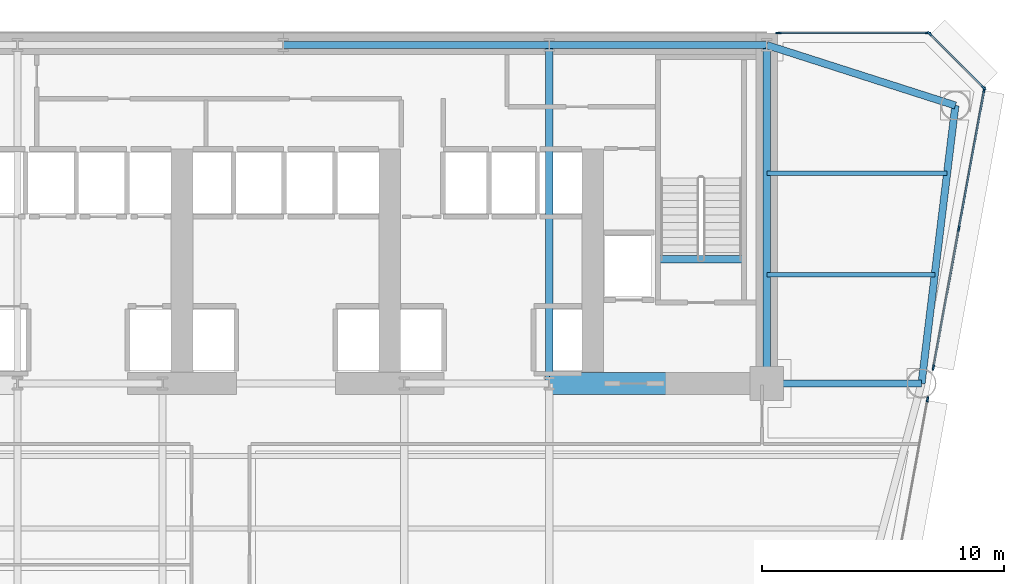
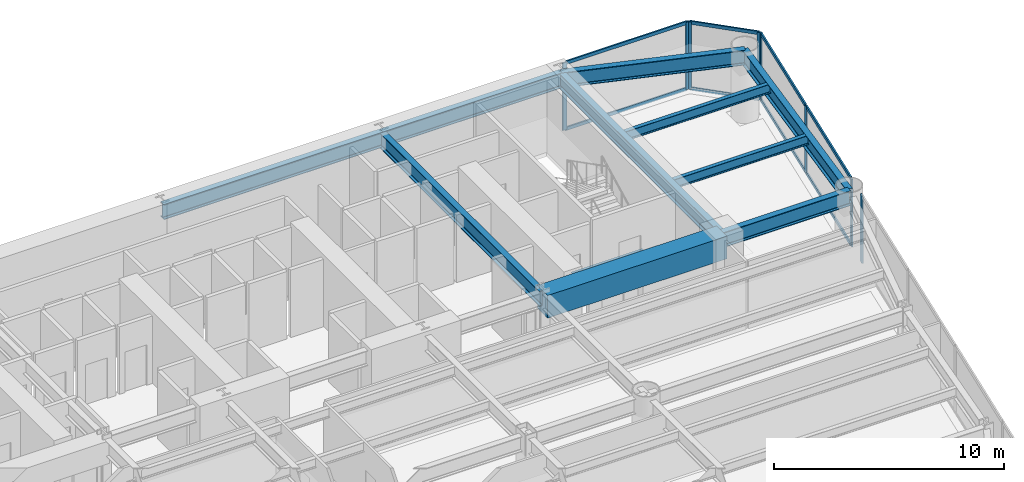
# One storey, part 6 of 14: 16 members, 11 beams, 4 elements without a shape of their own.
"""IFC4 building model written with IfcOpenShell, lengths in metres."""

from ifc_helpers import new_model, si_unit, direction, frame, origin, origin_2d, place, context, subcontext, project, spatial, rectangle, i_section, extrude, source, transform, mapped, material, layer, layer_set, material_profile, profile_set, type_object, element, aggregate, save


model = new_model("IFC4")

# Units and contexts
model_context = context("Model", 3, precision=1e-05, world=origin(), true_north=direction((0.0, 1.0)))
body_context = subcontext(model_context, "Body", "Model", "MODEL_VIEW")
ifc_project = project(units=[si_unit("LENGTHUNIT", "METRE"), si_unit("AREAUNIT", "SQUARE_METRE"), si_unit("VOLUMEUNIT", "CUBIC_METRE"), si_unit("PLANEANGLEUNIT", "RADIAN"), si_unit("MASSUNIT", "GRAM", prefix="KILO")], contexts=[model_context])

# Site, building, storey
site_placement = place(None, origin())
site = spatial("IfcSite", under=ifc_project, at=site_placement, CompositionType="ELEMENT")
building_placement = place(site_placement, origin())
building = spatial("IfcBuilding", under=site, at=building_placement, Name="Vaeldorn Concourse Tower", CompositionType="ELEMENT")
storey_placement = place(building_placement, frame((0.0, 0.0, 75.800048828125)))
storey = spatial("IfcBuildingStorey", under=building, at=storey_placement, Name="L19", CompositionType="ELEMENT", Elevation=75.800048828125)

# Beams
ifc_material_1 = material(Name="Concrete C60/75", Category="concrete")
ifc_material_profile_1 = material_profile(ifc_material_1, rectangle(XDim=0.89990234375, YDim=1.199951171875, at=origin_2d()), Name="RC 900x1200")
ifc_profile_set_1 = profile_set([ifc_material_profile_1], Name="Concrete C60/75")
beam_type_1 = type_object("IfcBeamType", Name="BM-CB-RC900", PredefinedType="BEAM", material=ifc_profile_set_1)
shared_shape_1 = source(origin(), body_context, "Body", "SweptSolid", [
    extrude(rectangle(XDim=0.89990234375, YDim=1.199951171875, at=origin_2d()), origin(), (0.0, 0.0, 1.0), 9.0),
])
beam_1_placement = place(storey_placement, frame((45.0, 36.5, 2.97998046875), z_axis=(1.0, 0.0, 0.0), x_axis=(0.0, 1.0, 0.0)))
element("IfcBeam", 1, at=beam_1_placement, inside=storey, type_object=beam_type_1, Name="Core Coupling Beam L19-2", PredefinedType="BEAM", context=body_context, shape_type="MappedRepresentation", body=[
    mapped(shared_shape_1, transform((0.0, 0.0, 0.0), scale=1.0)),
])
ifc_material_2 = material(Name="Steel S355", Category="steel")
ifc_material_profile_2 = material_profile(ifc_material_2, i_section(OverallWidth=0.300048828125, OverallDepth=0.340087890625, WebThickness=0.011962890625, FlangeThickness=0.021484375, FilletRadius=0.027099609375, at=origin_2d()), Name="HEB 340")
ifc_profile_set_2 = profile_set([ifc_material_profile_2], Name="Steel S355")
beam_type_2 = type_object("IfcBeamType", Name="BM-ST-TRIM", PredefinedType="BEAM", material=ifc_profile_set_2)
shared_shape_2 = source(origin(), body_context, "Body", "SweptSolid", [
    extrude(i_section(OverallWidth=0.300048828125, OverallDepth=0.340087890625, WebThickness=0.011962890625, FlangeThickness=0.021484375, FilletRadius=0.027099609375, at=origin_2d()), origin(), (0.0, 0.0, 1.0), 3.590087890625),
])
beam_2_placement = place(storey_placement, frame((49.47998046875, 41.639892578125, -0.39013671875), z_axis=(1.0, 0.0, 0.0), x_axis=(0.0, 1.0, 0.0)))
element("IfcBeam", 2, at=beam_2_placement, inside=storey, type_object=beam_type_2, Name="Stair Landing Trimmer Beam ST-2 L19", PredefinedType="BEAM", context=body_context, shape_type="MappedRepresentation", body=[
    mapped(shared_shape_2, transform((0.0, 0.0, 0.0), scale=1.0)),
])
ifc_material_profile_3 = material_profile(ifc_material_2, i_section(OverallWidth=0.300048828125, OverallDepth=0.800048828125, WebThickness=0.017578125, FlangeThickness=0.032958984375, FilletRadius=0.030029296875, at=origin_2d()), Name="HEB 800")
ifc_profile_set_3 = profile_set([ifc_material_profile_3], Name="Steel S355")
beam_type_3 = type_object("IfcBeamType", Name="BM-PG-HEB800", PredefinedType="BEAM", material=ifc_profile_set_3)
shared_shape_3 = source(origin(), body_context, "Body", "SweptSolid", [
    extrude(i_section(OverallWidth=0.300048828125, OverallDepth=0.800048828125, WebThickness=0.017578125, FlangeThickness=0.032958984375, FilletRadius=0.030029296875, at=origin_2d()), origin(), (0.0, 0.0, 1.0), 9.0),
])
beam_3_placement = place(storey_placement, frame((45.0, 50.5, 3.179931640625), z_axis=(1.0, 0.0, 0.0), x_axis=(0.0, 1.0, 0.0)))
element("IfcBeam", 3, at=beam_3_placement, inside=storey, type_object=beam_type_3, Name="Beam BM-L19-C-HC4-C-HC5", PredefinedType="BEAM", context=body_context, shape_type="MappedRepresentation", body=[
    mapped(shared_shape_3, transform((0.0, 0.0, 0.0), scale=1.0)),
])
shared_shape_4 = source(origin(), body_context, "Body", "SweptSolid", [
    extrude(i_section(OverallWidth=0.300048828125, OverallDepth=0.800048828125, WebThickness=0.017578125, FlangeThickness=0.032958984375, FilletRadius=0.030029296875, at=origin_2d()), origin(), (0.0, 0.0, 1.0), 11.0),
])
beam_4_placement = place(storey_placement, frame((34.0, 50.5, 3.179931640625), z_axis=(1.0, 0.0, 0.0), x_axis=(0.0, 1.0, 0.0)))
element("IfcBeam", 4, at=beam_4_placement, inside=storey, type_object=beam_type_3, Name="Beam BM-L19-C-HC3-C-HC4", PredefinedType="BEAM", context=body_context, shape_type="MappedRepresentation", body=[
    mapped(shared_shape_4, transform((0.0, 0.0, 0.0), scale=1.0)),
])
shared_shape_5 = source(origin(), body_context, "Body", "SweptSolid", [
    extrude(i_section(OverallWidth=0.300048828125, OverallDepth=0.800048828125, WebThickness=0.017578125, FlangeThickness=0.032958984375, FilletRadius=0.030029296875, at=origin_2d()), origin(), (0.0, 0.0, 1.0), 14.0),
])
for number, where, z_axis, x_axis, name in (
    (5, (45.0, 36.5, 3.179931640625), (0.0, 1.0, 0.0), (-1.0, 0.0, 0.0), "Beam BM-L19-C-FC5-C-HC4"),
    (6, (54.0, 36.5, 3.179931640625), (0.0, 1.0, 0.0), (-1.0, 0.0, 0.0), "Beam BM-L19-C-FC6-C-HC5"),
):
    element("IfcBeam", number, at=place(storey_placement, frame(where, z_axis=z_axis, x_axis=x_axis)), inside=storey, type_object=beam_type_3, Name=name, PredefinedType="BEAM", context=body_context, shape_type="MappedRepresentation", body=[
        mapped(shared_shape_5, transform((0.0, 0.0, 0.0), scale=1.0)),
    ])
shared_shape_6 = source(origin(), body_context, "Body", "SweptSolid", [
    extrude(i_section(OverallWidth=0.300048828125, OverallDepth=0.800048828125, WebThickness=0.017578125, FlangeThickness=0.032958984375, FilletRadius=0.030029296875, at=origin_2d()), origin(), (0.0, 0.0, 1.0), 8.19091796875),
])
beam_5_placement = place(storey_placement, frame((54.0, 50.5, 3.179931640625), z_axis=(0.952282843383, -0.305216949396, 0.0), x_axis=(0.305216949396, 0.952282843383, 0.0)))
element("IfcBeam", 7, at=beam_5_placement, inside=storey, type_object=beam_type_3, Name="Beam BM-L19-C-HC5-C-NE1", PredefinedType="BEAM", context=body_context, shape_type="MappedRepresentation", body=[
    mapped(shared_shape_6, transform((0.0, 0.0, 0.0), scale=1.0)),
])
shared_shape_7 = source(origin(), body_context, "Body", "SweptSolid", [
    extrude(i_section(OverallWidth=0.300048828125, OverallDepth=0.800048828125, WebThickness=0.017578125, FlangeThickness=0.032958984375, FilletRadius=0.030029296875, at=origin_2d()), origin(), (0.0, 0.0, 1.0), 11.5849609375),
])
beam_6_placement = place(storey_placement, frame((61.800048828125, 48.0, 3.179931640625), z_axis=(-0.120859382899, -0.992669637677, 0.0), x_axis=(0.992669637677, -0.120859382899, 0.0)))
element("IfcBeam", 8, at=beam_6_placement, inside=storey, type_object=beam_type_3, Name="Beam BM-L19-C-NE1-C-NE2", PredefinedType="BEAM", context=body_context, shape_type="MappedRepresentation", body=[
    mapped(shared_shape_7, transform((0.0, 0.0, 0.0), scale=1.0)),
])
shared_shape_8 = source(origin(), body_context, "Body", "SweptSolid", [
    extrude(i_section(OverallWidth=0.300048828125, OverallDepth=0.800048828125, WebThickness=0.017578125, FlangeThickness=0.032958984375, FilletRadius=0.030029296875, at=origin_2d()), origin(), (0.0, 0.0, 1.0), 6.39990234375),
])
beam_7_placement = place(storey_placement, frame((54.0, 36.5, 3.179931640625), z_axis=(1.0, 0.0, 0.0), x_axis=(0.0, 1.0, 0.0)))
element("IfcBeam", 9, at=beam_7_placement, inside=storey, type_object=beam_type_3, Name="Beam BM-L19-C-FC6-C-NE2", PredefinedType="BEAM", context=body_context, shape_type="MappedRepresentation", body=[
    mapped(shared_shape_8, transform((0.0, 0.0, 0.0), scale=1.0)),
])
ifc_material_profile_4 = material_profile(ifc_material_2, i_section(OverallWidth=0.199951171875, OverallDepth=0.5, WebThickness=0.01025390625, FlangeThickness=0.01611328125, FilletRadius=0.02099609375, at=origin_2d()), Name="IPE 500")
ifc_profile_set_4 = profile_set([ifc_material_profile_4], Name="Steel S355")
beam_type_4 = type_object("IfcBeamType", Name="BM-JS-IPE500", PredefinedType="JOIST", material=ifc_profile_set_4)
shared_shape_9 = source(origin(), body_context, "Body", "SweptSolid", [
    extrude(i_section(OverallWidth=0.199951171875, OverallDepth=0.5, WebThickness=0.01025390625, FlangeThickness=0.01611328125, FilletRadius=0.02099609375, at=origin_2d()), origin(), (0.0, 0.0, 1.0), 6.94775390625),
])
beam_8_placement = place(storey_placement, frame((54.0, 41.0, 3.329833984375), z_axis=(1.0, 0.0, 0.0), x_axis=(0.0, 1.0, 0.0)))
element("IfcBeam", 10, at=beam_8_placement, inside=storey, type_object=beam_type_4, Name="Beam JS-L19-NE-410", PredefinedType="JOIST", context=body_context, shape_type="MappedRepresentation", body=[
    mapped(shared_shape_9, transform((0.0, 0.0, 0.0), scale=1.0)),
])
shared_shape_10 = source(origin(), body_context, "Body", "SweptSolid", [
    extrude(i_section(OverallWidth=0.199951171875, OverallDepth=0.5, WebThickness=0.01025390625, FlangeThickness=0.01611328125, FilletRadius=0.02099609375, at=origin_2d()), origin(), (0.0, 0.0, 1.0), 7.458984375),
])
beam_9_placement = place(storey_placement, frame((54.0, 45.199951171875, 3.329833984375), z_axis=(1.0, 0.0, 0.0), x_axis=(0.0, 1.0, 0.0)))
element("IfcBeam", 11, at=beam_9_placement, inside=storey, type_object=beam_type_4, Name="Beam JS-L19-NE-452", PredefinedType="JOIST", context=body_context, shape_type="MappedRepresentation", body=[
    mapped(shared_shape_10, transform((0.0, 0.0, 0.0), scale=1.0)),
])

# Curtain wall, member
ifc_material_3 = material(Name="Anodised Bronze Aluminium", Category="aluminium")
ifc_layer = layer(ifc_material_3, 0.219970703125)
ifc_layer_set = layer_set([ifc_layer], Name="Anodised Bronze Aluminium")
curtain_wall_type = type_object("IfcCurtainWallType", Name="CW-SYS-01", PredefinedType="NOTDEFINED", material=ifc_layer_set)
curtain_wall_1_placement = place(storey_placement, origin())
curtain_wall_1 = element("IfcCurtainWall", 12, at=curtain_wall_1_placement, inside=storey, type_object=curtain_wall_type, Name="Unitised Curtain Wall CW-L19-E07-1", PredefinedType="NOTDEFINED")
ifc_material_profile_5 = material_profile(ifc_material_3, rectangle(XDim=0.074951171875, YDim=0.219970703125, at=origin_2d()), Name="CWM 75x220")
ifc_profile_set_5 = profile_set([ifc_material_profile_5], Name="Anodised Bronze Aluminium")
member_type_1 = type_object("IfcMemberType", Name="CWM-BRONZE-220", PredefinedType="MULLION", material=ifc_profile_set_5)
shared_shape_11 = source(origin(), body_context, "Body", "SweptSolid", [
    extrude(rectangle(XDim=0.074951171875, YDim=0.219970703125, at=origin_2d()), origin(), (0.0, 0.0, 1.0), 3.579833984375),
])
member_1_placement = place(storey_placement, frame((60.65087890625, 35.843505859375, 0.0), z_axis=(0.0, 0.0, 1.0), x_axis=(-0.983712105804, 0.179751197201, 0.0)))
member_1 = element("IfcMember", 13, at=member_1_placement, type_object=member_type_1, Name="CW-01 mullion 6", PredefinedType="MULLION", context=body_context, shape_type="MappedRepresentation", body=[
    mapped(shared_shape_11, transform((0.0, 0.0, 0.0), scale=1.0)),
])
aggregate(curtain_wall_1, [member_1])

# Curtain wall, members
curtain_wall_2_placement = place(storey_placement, origin())
curtain_wall_2 = element("IfcCurtainWall", 14, at=curtain_wall_2_placement, inside=storey, type_object=curtain_wall_type, Name="Unitised Curtain Wall CW-L19-E07-2", PredefinedType="NOTDEFINED")
member_2_placement = place(storey_placement, frame((60.890625, 37.156494140625, 0.0), z_axis=(0.0, 0.0, 1.0), x_axis=(-0.983711732506, 0.179753240108, 0.0)))
member_2 = element("IfcMember", 15, at=member_2_placement, type_object=member_type_1, Name="CW-01 mullion 1", PredefinedType="MULLION", context=body_context, shape_type="MappedRepresentation", body=[
    mapped(shared_shape_11, transform((0.0, 0.0, 0.0), scale=1.0)),
])
member_3_placement = place(storey_placement, frame((61.94189453125, 42.90966796875, 0.0), z_axis=(0.0, 0.0, 1.0), x_axis=(-0.983711732506, 0.179753240108, 0.0)))
member_3 = element("IfcMember", 16, at=member_3_placement, type_object=member_type_1, Name="CW-01 mullion 2", PredefinedType="MULLION", context=body_context, shape_type="MappedRepresentation", body=[
    mapped(shared_shape_11, transform((0.0, 0.0, 0.0), scale=1.0)),
])
member_4_placement = place(storey_placement, frame((62.9931640625, 48.6630859375, 0.0), z_axis=(0.0, 0.0, 1.0), x_axis=(-0.983711732506, 0.179753240108, 0.0)))
member_4 = element("IfcMember", 17, at=member_4_placement, type_object=member_type_1, Name="CW-01 mullion 3", PredefinedType="MULLION", context=body_context, shape_type="MappedRepresentation", body=[
    mapped(shared_shape_11, transform((0.0, 0.0, 0.0), scale=1.0)),
])

curtain_wall_3_placement = place(storey_placement, origin())
curtain_wall_3 = element("IfcCurtainWall", 18, at=curtain_wall_3_placement, inside=storey, type_object=curtain_wall_type, Name="Unitised Curtain Wall CW-L19-E08-1", PredefinedType="NOTDEFINED")
member_5_placement = place(storey_placement, frame((62.973388671875, 48.7265625, 0.0), z_axis=(0.0, 0.0, 1.0), x_axis=(-0.707106781187, -0.707106781187, 0.0)))
member_5 = element("IfcMember", 19, at=member_5_placement, type_object=member_type_1, Name="CW-01 mullion 1", PredefinedType="MULLION", context=body_context, shape_type="MappedRepresentation", body=[
    mapped(shared_shape_11, transform((0.0, 0.0, 0.0), scale=1.0)),
])
member_6_placement = place(storey_placement, frame((60.7265625, 50.973388671875, 0.0), z_axis=(0.0, 0.0, 1.0), x_axis=(-0.707106781187, -0.707106781187, 0.0)))
member_6 = element("IfcMember", 20, at=member_6_placement, type_object=member_type_1, Name="CW-01 mullion 2", PredefinedType="MULLION", context=body_context, shape_type="MappedRepresentation", body=[
    mapped(shared_shape_11, transform((0.0, 0.0, 0.0), scale=1.0)),
])

curtain_wall_4_placement = place(storey_placement, origin())
curtain_wall_4 = element("IfcCurtainWall", 21, at=curtain_wall_4_placement, inside=storey, type_object=curtain_wall_type, Name="Unitised Curtain Wall CW-L19-E09-1", PredefinedType="NOTDEFINED")
member_7_placement = place(storey_placement, frame((60.66259765625, 51.0, 0.0), z_axis=(0.0, 0.0, 1.0), x_axis=(0.0, -1.0, 0.0)))
member_7 = element("IfcMember", 22, at=member_7_placement, type_object=member_type_1, Name="CW-01 mullion 1", PredefinedType="MULLION", context=body_context, shape_type="MappedRepresentation", body=[
    mapped(shared_shape_11, transform((0.0, 0.0, 0.0), scale=1.0)),
])
member_8_placement = place(storey_placement, frame((54.482421875, 51.0, 0.0), z_axis=(0.0, 0.0, 1.0), x_axis=(0.0, -1.0, 0.0)))
member_8 = element("IfcMember", 23, at=member_8_placement, type_object=member_type_1, Name="CW-01 mullion 2", PredefinedType="MULLION", context=body_context, shape_type="MappedRepresentation", body=[
    mapped(shared_shape_11, transform((0.0, 0.0, 0.0), scale=1.0)),
])

# Member
ifc_material_profile_6 = material_profile(ifc_material_3, rectangle(XDim=0.074951171875, YDim=0.179931640625, at=origin_2d()), Name="CWT 75x180")
ifc_profile_set_6 = profile_set([ifc_material_profile_6], Name="Anodised Bronze Aluminium")
member_type_2 = type_object("IfcMemberType", Name="CWT-BRONZE-180", PredefinedType="USERDEFINED", material=ifc_profile_set_6)
shared_shape_12 = source(origin(), body_context, "Body", "SweptSolid", [
    extrude(rectangle(XDim=0.074951171875, YDim=0.179931640625, at=origin_2d()), origin(), (0.0, 0.0, 1.0), 3.10302734375),
])
member_9_placement = place(storey_placement, frame((62.947021484375, 48.7529296875, 0.037353515625), z_axis=(-0.707106781187, 0.707106781187, 0.0), x_axis=(-0.707106781187, -0.707106781187, 0.0)))
member_9 = element("IfcMember", 24, at=member_9_placement, type_object=member_type_2, Name="CW-01 transom 1.1", ObjectType="TRANSOM", PredefinedType="USERDEFINED", context=body_context, shape_type="MappedRepresentation", body=[
    mapped(shared_shape_12, transform((0.0, 0.0, 0.0), scale=1.0)),
])

member_10_placement = place(storey_placement, frame((62.947021484375, 48.7529296875, 3.54248046875), z_axis=(-0.707106781187, 0.707106781187, 0.0), x_axis=(-0.707106781187, -0.707106781187, 0.0)))
member_10 = element("IfcMember", 25, at=member_10_placement, type_object=member_type_2, Name="CW-01 transom 1.2", ObjectType="TRANSOM", PredefinedType="USERDEFINED", context=body_context, shape_type="MappedRepresentation", body=[
    mapped(shared_shape_12, transform((0.0, 0.0, 0.0), scale=1.0)),
])

aggregate(curtain_wall_3, [member_5, member_6, member_9, member_10])

shared_shape_13 = source(origin(), body_context, "Body", "SweptSolid", [
    extrude(rectangle(XDim=0.074951171875, YDim=0.179931640625, at=origin_2d()), origin(), (0.0, 0.0, 1.0), 6.10498046875),
])
member_11_placement = place(storey_placement, frame((60.625, 51.0, 0.037353515625), z_axis=(-1.0, 0.0, 0.0), x_axis=(0.0, -1.0, 0.0)))
member_11 = element("IfcMember", 26, at=member_11_placement, type_object=member_type_2, Name="CW-01 transom 1.1", ObjectType="TRANSOM", PredefinedType="USERDEFINED", context=body_context, shape_type="MappedRepresentation", body=[
    mapped(shared_shape_13, transform((0.0, 0.0, 0.0), scale=1.0)),
])

member_12_placement = place(storey_placement, frame((60.625, 51.0, 3.54248046875), z_axis=(-1.0, 0.0, 0.0), x_axis=(0.0, -1.0, 0.0)))
member_12 = element("IfcMember", 27, at=member_12_placement, type_object=member_type_2, Name="CW-01 transom 1.2", ObjectType="TRANSOM", PredefinedType="USERDEFINED", context=body_context, shape_type="MappedRepresentation", body=[
    mapped(shared_shape_13, transform((0.0, 0.0, 0.0), scale=1.0)),
])

aggregate(curtain_wall_4, [member_7, member_8, member_11, member_12])

shared_shape_14 = source(origin(), body_context, "Body", "SweptSolid", [
    extrude(rectangle(XDim=0.074951171875, YDim=0.179931640625, at=origin_2d()), origin(), (0.0, 0.0, 1.0), 5.7734375),
])
member_13_placement = place(storey_placement, frame((60.8974609375, 37.193359375, 0.037353515625), z_axis=(0.179759852071, 0.983710524282, 0.0), x_axis=(-0.983710524282, 0.179759852071, 0.0)))
member_13 = element("IfcMember", 28, at=member_13_placement, type_object=member_type_2, Name="CW-01 transom 1.1", ObjectType="TRANSOM", PredefinedType="USERDEFINED", context=body_context, shape_type="MappedRepresentation", body=[
    mapped(shared_shape_14, transform((0.0, 0.0, 0.0), scale=1.0)),
])

member_14_placement = place(storey_placement, frame((60.8974609375, 37.193359375, 3.54248046875), z_axis=(0.179759852071, 0.983710524282, 0.0), x_axis=(-0.983710524282, 0.179759852071, 0.0)))
member_14 = element("IfcMember", 29, at=member_14_placement, type_object=member_type_2, Name="CW-01 transom 1.2", ObjectType="TRANSOM", PredefinedType="USERDEFINED", context=body_context, shape_type="MappedRepresentation", body=[
    mapped(shared_shape_14, transform((0.0, 0.0, 0.0), scale=1.0)),
])

shared_shape_15 = source(origin(), body_context, "Body", "SweptSolid", [
    extrude(rectangle(XDim=0.074951171875, YDim=0.179931640625, at=origin_2d()), origin(), (0.0, 0.0, 1.0), 5.773681640625),
])
member_15_placement = place(storey_placement, frame((61.94873046875, 42.946533203125, 0.037353515625), z_axis=(0.179752374787, 0.983711890626, 0.0), x_axis=(-0.983711890626, 0.179752374787, 0.0)))
member_15 = element("IfcMember", 30, at=member_15_placement, type_object=member_type_2, Name="CW-01 transom 2.1", ObjectType="TRANSOM", PredefinedType="USERDEFINED", context=body_context, shape_type="MappedRepresentation", body=[
    mapped(shared_shape_15, transform((0.0, 0.0, 0.0), scale=1.0)),
])

member_16_placement = place(storey_placement, frame((61.94873046875, 42.946533203125, 3.54248046875), z_axis=(0.179752374787, 0.983711890626, 0.0), x_axis=(-0.983711890626, 0.179752374787, 0.0)))
member_16 = element("IfcMember", 31, at=member_16_placement, type_object=member_type_2, Name="CW-01 transom 2.2", ObjectType="TRANSOM", PredefinedType="USERDEFINED", context=body_context, shape_type="MappedRepresentation", body=[
    mapped(shared_shape_15, transform((0.0, 0.0, 0.0), scale=1.0)),
])

aggregate(curtain_wall_2, [member_2, member_3, member_4, member_13, member_14, member_15, member_16])

save(model, "model.ifc")
